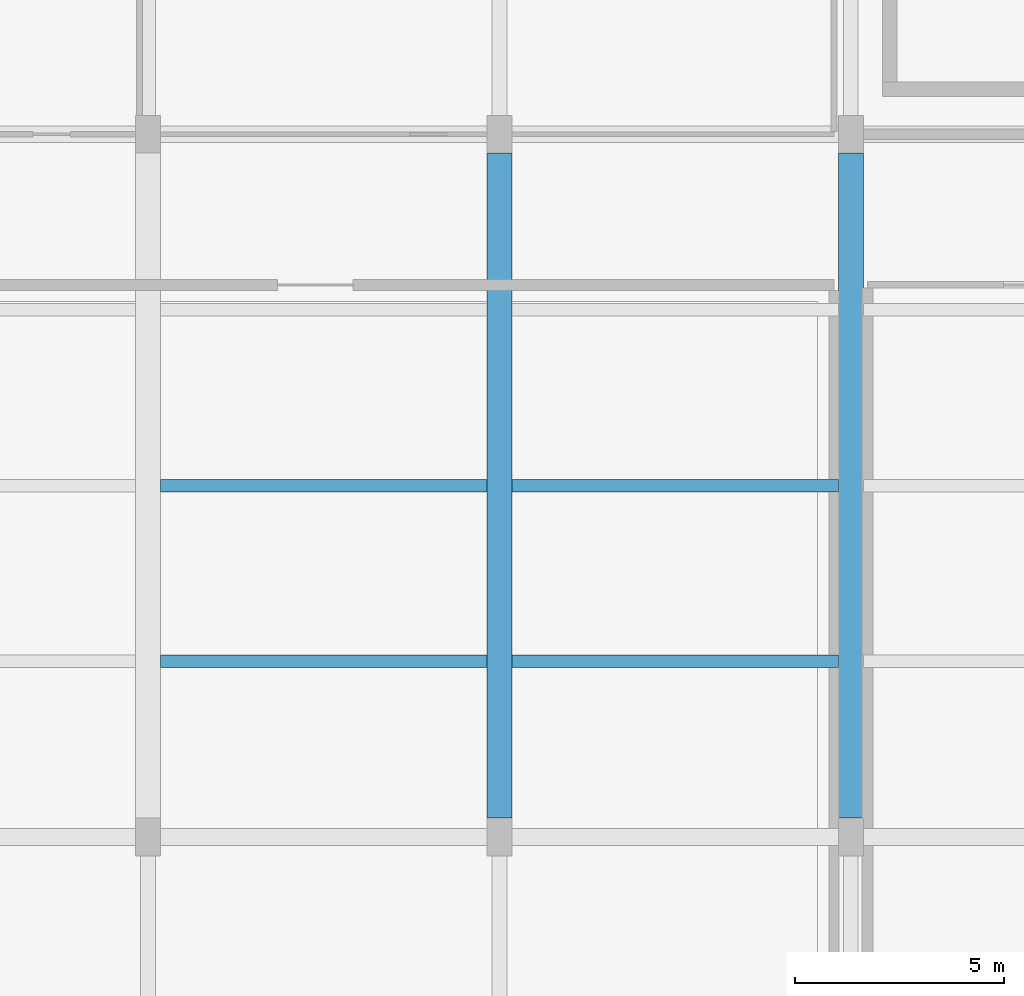
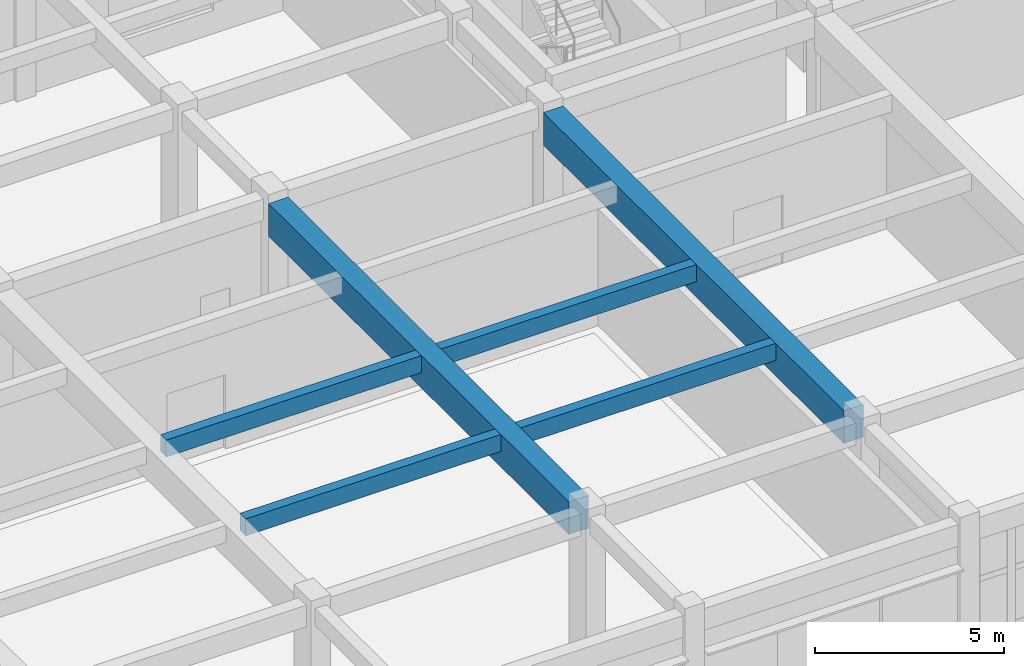
# One storey, part 26 of 93: 6 beams.
"""IFC4 building model written with IfcOpenShell, lengths in metres."""

from ifc_helpers import new_model, si_unit, direction, frame, origin, origin_2d, place, context, subcontext, project, spatial, rectangle, extrude, material, material_profile, profile_set, type_object, element, save


model = new_model("IFC4")

# Units and contexts
model_context = context("Model", 3, precision=1e-05, world=origin(), true_north=direction((0.0, 1.0)))
body_context = subcontext(model_context, "Body", "Model", "MODEL_VIEW")
ifc_project = project(units=[si_unit("LENGTHUNIT", "METRE"), si_unit("AREAUNIT", "SQUARE_METRE"), si_unit("VOLUMEUNIT", "CUBIC_METRE"), si_unit("PLANEANGLEUNIT", "RADIAN"), si_unit("MASSUNIT", "GRAM", prefix="KILO")], contexts=[model_context])

# Site, building, storey
site_placement = place(None, origin())
site = spatial("IfcSite", under=ifc_project, at=site_placement, CompositionType="ELEMENT")
building_placement = place(site_placement, origin())
building = spatial("IfcBuilding", under=site, at=building_placement, Name="Krzemoval Escarpment Law Courts", CompositionType="ELEMENT")
storey_placement = place(building_placement, frame((0.0, 0.0, 10.199951171875)))
storey = spatial("IfcBuildingStorey", under=building, at=storey_placement, Name="L02", CompositionType="ELEMENT", Elevation=10.199951171875)

# Beams
ifc_material_1 = material(Name="Concrete C50/60", Category="concrete")
ifc_material_profile_1 = material_profile(ifc_material_1, rectangle(XDim=0.60009765625, YDim=1.050048828125, at=origin_2d()), Name="PTG 600x1050")
ifc_profile_set_1 = profile_set([ifc_material_profile_1], Name="Concrete C50/60")
beam_type_1 = type_object("IfcBeamType", Name="BM-PTG-600x1050", PredefinedType="BEAM", material=ifc_profile_set_1)
for number, where, z_axis, x_axis, name in (
    (1, (100.800048828125, 5.85009765625, 4.295166015625), (0.0, 1.0, 0.0), (-1.0, 0.0, 0.0), "Beam FG-L02-1945"),
    (2, (109.199951171875, 5.85009765625, 4.295166015625), (0.0, 1.0, 0.0), (-1.0, 0.0, 0.0), "Beam FG-L02-1949"),
):
    element("IfcBeam", number, at=place(storey_placement, frame(where, z_axis=z_axis, x_axis=x_axis)), inside=storey, type_object=beam_type_1, Name=name, PredefinedType="BEAM", context=body_context, shape_type="SweptSolid", body=[
        extrude(rectangle(XDim=0.60009765625, YDim=1.050048828125, at=origin_2d()), origin(), (0.0, 0.0, 1.0), 15.89990234375),
    ])
ifc_material_2 = material(Name="Concrete C40/50", Category="concrete")
ifc_material_profile_2 = material_profile(ifc_material_2, rectangle(XDim=0.300048828125, YDim=0.550048828125, at=origin_2d()), Name="RCB 300x550")
ifc_profile_set_2 = profile_set([ifc_material_profile_2], Name="Concrete C40/50")
beam_type_2 = type_object("IfcBeamType", Name="JST-RC-300x550", PredefinedType="JOIST", material=ifc_profile_set_2)
for number, where, z_axis, x_axis, name in (
    (3, (92.699951171875, 9.60009765625, 4.545166015625), (1.0, 0.0, 0.0), (0.0, 1.0, 0.0), "Secondary Joist FJ-L02-2055"),
    (4, (92.699951171875, 13.800048828125, 4.545166015625), (1.0, 0.0, 0.0), (0.0, 1.0, 0.0), "Secondary Joist FJ-L02-2056"),
):
    element("IfcBeam", number, at=place(storey_placement, frame(where, z_axis=z_axis, x_axis=x_axis)), inside=storey, type_object=beam_type_2, Name=name, PredefinedType="JOIST", context=body_context, shape_type="SweptSolid", body=[
        extrude(rectangle(XDim=0.300048828125, YDim=0.550048828125, at=origin_2d()), origin(), (0.0, 0.0, 1.0), 7.800048828125),
    ])
for number, where, z_axis, x_axis, name in (
    (5, (101.10009765625, 9.60009765625, 4.545166015625), (1.0, 0.0, 0.0), (0.0, 1.0, 0.0), "Secondary Joist FJ-L02-2059"),
    (6, (101.10009765625, 13.800048828125, 4.545166015625), (1.0, 0.0, 0.0), (0.0, 1.0, 0.0), "Secondary Joist FJ-L02-2060"),
):
    element("IfcBeam", number, at=place(storey_placement, frame(where, z_axis=z_axis, x_axis=x_axis)), inside=storey, type_object=beam_type_2, Name=name, PredefinedType="JOIST", context=body_context, shape_type="SweptSolid", body=[
        extrude(rectangle(XDim=0.300048828125, YDim=0.550048828125, at=origin_2d()), origin(), (0.0, 0.0, 1.0), 7.7998046875),
    ])

save(model, "model.ifc")
